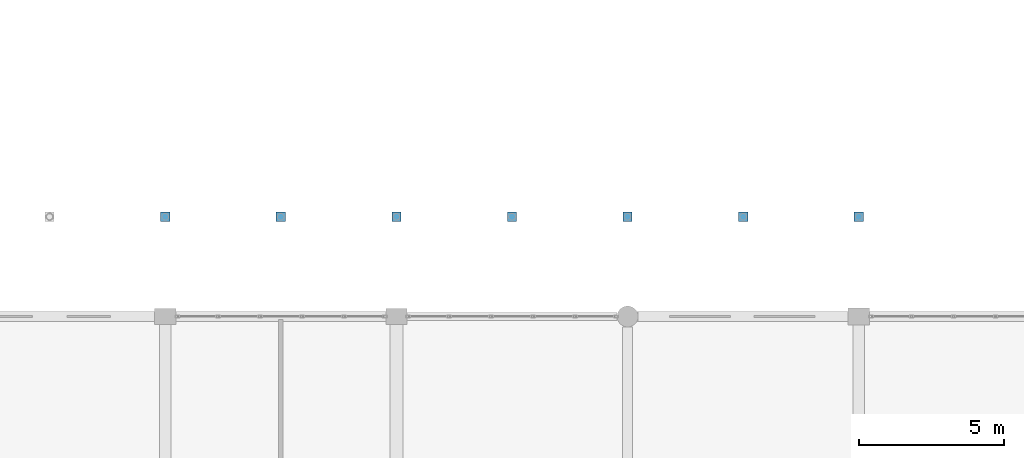
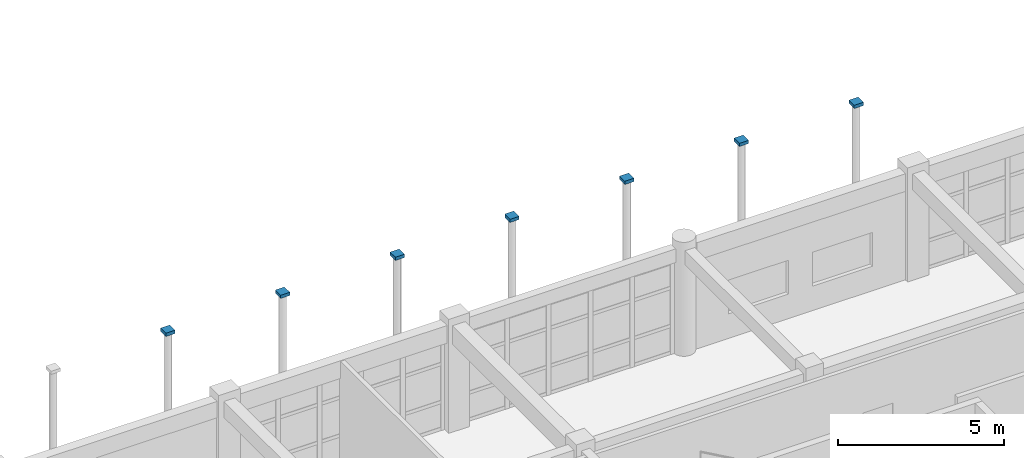
# One storey, part 178 of 195: 7 discrete accessories.
"""IFC4 building model written with IfcOpenShell, lengths in metres."""

from ifc_helpers import new_model, si_unit, direction, frame, origin, origin_2d, place, context, subcontext, project, spatial, rectangle, extrude, material, type_object, element, save


model = new_model("IFC4")

# Units and contexts
model_context = context("Model", 3, precision=1e-05, world=origin(), true_north=direction((0.0, 1.0)))
body_context = subcontext(model_context, "Body", "Model", "MODEL_VIEW")
ifc_project = project(units=[si_unit("LENGTHUNIT", "METRE"), si_unit("AREAUNIT", "SQUARE_METRE"), si_unit("VOLUMEUNIT", "CUBIC_METRE"), si_unit("PLANEANGLEUNIT", "RADIAN"), si_unit("MASSUNIT", "GRAM", prefix="KILO")], contexts=[model_context])

# Site, building, storey
site_placement = place(None, origin())
site = spatial("IfcSite", under=ifc_project, at=site_placement, CompositionType="ELEMENT")
building_placement = place(site_placement, origin())
building = spatial("IfcBuilding", under=site, at=building_placement, Name="Kharva Crest Polytechnic", CompositionType="ELEMENT")
storey_placement = place(building_placement, frame((0.0, 0.0, 9.0)))
storey = spatial("IfcBuildingStorey", under=building, at=storey_placement, Name="L02", CompositionType="ELEMENT", Elevation=9.0)

# Discrete accessories
ifc_material = material(Name="Steel S355", Category="steel")
discrete_accessory_type = type_object("IfcDiscreteAccessoryType", Name="ACC-SHOE-COL320", PredefinedType="SHOE", material=ifc_material)
for number, where, z_axis, x_axis, name in (
    (1, (80.0, 26.25, 4.139892578125), (0.0, 0.0, 1.0), (1.0, 0.0, 0.0), "L02 Colonnade Cap Shoe VS03"),
    (2, (88.0, 26.25, 4.139892578125), (0.0, 0.0, 1.0), (1.0, 0.0, 0.0), "L02 Colonnade Cap Shoe VS04"),
    (3, (96.0, 26.25, 4.139892578125), (0.0, 0.0, 1.0), (1.0, 0.0, 0.0), "L02 Colonnade Cap Shoe VS05"),
    (4, (104.0, 26.25, 4.139892578125), (0.0, 0.0, 1.0), (1.0, 0.0, 0.0), "L02 Colonnade Cap Shoe VS06"),
    (5, (84.0, 26.25, 4.139892578125), (0.0, 0.0, 1.0), (1.0, 0.0, 0.0), "L02 Colonnade Mid Cap Shoe VSM03"),
    (6, (92.0, 26.25, 4.139892578125), (0.0, 0.0, 1.0), (1.0, 0.0, 0.0), "L02 Colonnade Mid Cap Shoe VSM04"),
    (7, (100.0, 26.25, 4.139892578125), (0.0, 0.0, 1.0), (1.0, 0.0, 0.0), "L02 Colonnade Mid Cap Shoe VSM05"),
):
    element("IfcDiscreteAccessory", number, at=place(storey_placement, frame(where, z_axis=z_axis, x_axis=x_axis)), inside=storey, type_object=discrete_accessory_type, Name=name, PredefinedType="SHOE", context=body_context, shape_type="SweptSolid", body=[
        extrude(rectangle(XDim=0.320068359375, YDim=0.320068359375, at=origin_2d()), origin(), (0.0, 0.0, 1.0), 0.1201171875),
    ])

save(model, "model.ifc")
